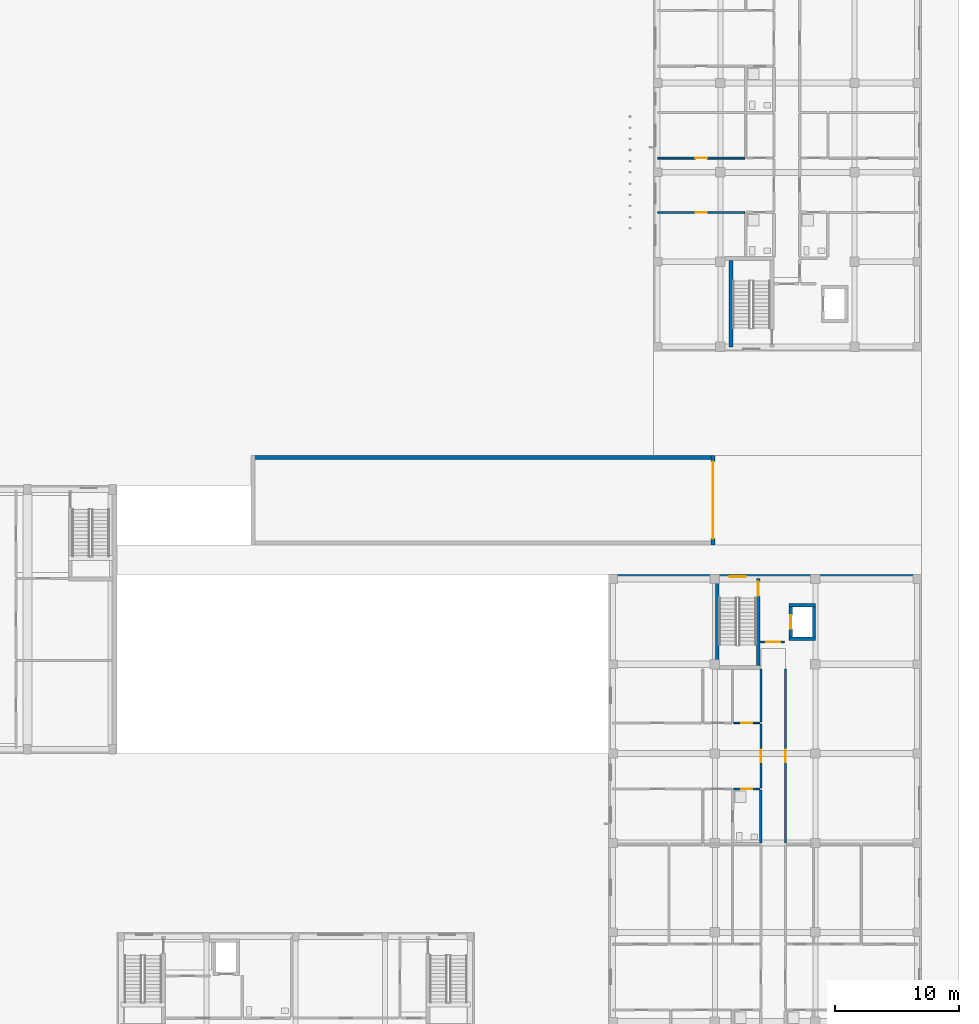
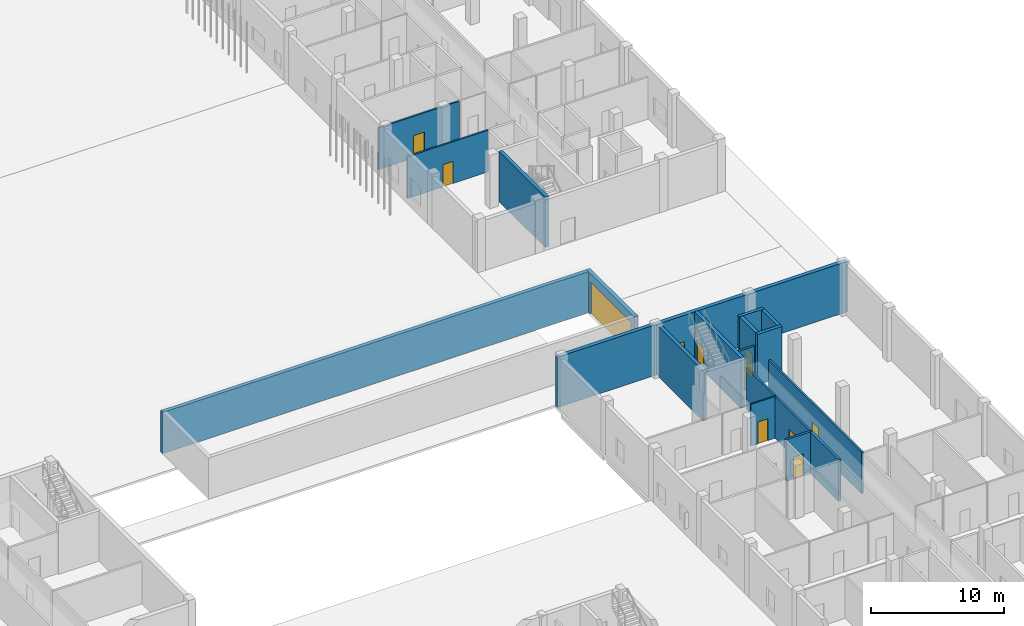
# One storey, part 51 of 85: 19 walls, 11 doors, 11 openings.
"""IFC4 building model written with IfcOpenShell, lengths in metres."""

from ifc_helpers import new_model, si_unit, derived_unit, direction, frame, frame_2d, origin, place, context, subcontext, project, spatial, rectangle, extrude, material, layer, layer_set, type_object, element, fill, save


model = new_model("IFC4")

# Units and contexts
model_context = context("Model", 3, precision=1e-05, world=origin(), true_north=direction((0.0, 1.0)))
body_context = subcontext(model_context, "Body", "Model", "MODEL_VIEW")
ifc_project = project(units=[si_unit("LENGTHUNIT", "METRE"), si_unit("AREAUNIT", "SQUARE_METRE"), si_unit("VOLUMEUNIT", "CUBIC_METRE"), si_unit("PLANEANGLEUNIT", "RADIAN"), si_unit("MASSUNIT", "GRAM", prefix="KILO"), derived_unit("THERMALTRANSMITTANCEUNIT", [(si_unit("MASSUNIT", "GRAM", prefix="KILO"), 1), (si_unit("TIMEUNIT", "SECOND"), -3), (si_unit("THERMODYNAMICTEMPERATUREUNIT", "KELVIN"), -1)])], contexts=[model_context])

# Site, building, storey
site_placement = place(None, origin())
site = spatial("IfcSite", under=ifc_project, at=site_placement, CompositionType="ELEMENT")
building_placement = place(site_placement, origin())
building = spatial("IfcBuilding", under=site, at=building_placement, Name="Ochrekiln Boulevard Commons", CompositionType="ELEMENT")
storey_placement = place(building_placement, origin())
storey = spatial("IfcBuildingStorey", under=building, at=storey_placement, Name="L00", CompositionType="ELEMENT", Elevation=0.0)

# Wall
ifc_material_1 = material(Name="Desert ochre clinker brick masonry ASTM C216 Grade SW", Category="masonry")
ifc_layer_1 = layer(ifc_material_1, 0.320068359375)
ifc_layer_set_1 = layer_set([ifc_layer_1], Name="Desert ochre clinker brick masonry ASTM C216 Grade SW")
wall_type_1 = type_object("IfcWallType", Name="WL-EXT-OCHRE-320", PredefinedType="SOLIDWALL", material=ifc_layer_set_1)
wall_1_placement = place(storey_placement, frame((118.800048828125, 59.85009765625, 0.0), z_axis=(0.0, 0.0, 1.0), x_axis=(1.0, 0.0, 0.0)))
element("IfcWall", 1, at=wall_1_placement, inside=storey, type_object=wall_type_1, Name="L00 Car Park Portal Hood Wall N", PredefinedType="SOLIDWALL", context=body_context, shape_type="SweptSolid", body=[
    extrude(rectangle(XDim=37.35986328125, YDim=0.320068359375, at=frame_2d((18.679931640625, 0.0))), origin(), (0.0, 0.0, 1.0), 3.800048828125),
])

# Wall, opening, door
wall_2_placement = place(storey_placement, frame((156.0, 52.800048828125, 0.0), z_axis=(0.0, 0.0, 1.0), x_axis=(0.0, 1.0, 0.0)))
wall_2 = element("IfcWall", 2, at=wall_2_placement, inside=storey, type_object=wall_type_1, Name="L00 Car Park Portal East Facade Wall", PredefinedType="SOLIDWALL", context=body_context, shape_type="SweptSolid", body=[
    extrude(rectangle(XDim=7.199951171875, YDim=0.320068359375, at=frame_2d((3.60009765625, 0.0))), origin(), (0.0, 0.0, 1.0), 3.800048828125),
])
opening_1_placement = place(wall_2_placement, frame((0.5, 0.0, 0.0)))
opening_1 = element("IfcOpeningElement", 3, at=opening_1_placement, cuts=wall_2, Name="Opening VG-01", PredefinedType="OPENING", context=body_context, shape_type="SweptSolid", body=[
    extrude(rectangle(XDim=6.199951171875, YDim=3.0, at=frame_2d((3.10009765625, 1.5))), frame((0.0, 0.169921875, 0.0), z_axis=(0.0, -1.0, 0.0), x_axis=(1.0, 0.0, 0.0)), (0.0, 0.0, 1.0), 0.340087890625),
])
ifc_material_2 = material(Name="Bronze-anodized extruded aluminium 6063-T6", Category="aluminium")
door_type_1 = type_object("IfcDoorType", Name="DR-GATE-VG01", OperationType="ROLLINGUP", PredefinedType="GATE", material=ifc_material_2)
door_1_placement = place(opening_1_placement, origin())
door_1 = element("IfcDoor", 4, at=door_1_placement, inside=storey, type_object=door_type_1, Name="Vehicular Car Park Roller Shutter Gate VG-01", OperationType="ROLLINGUP", OverallHeight=3.0, OverallWidth=6.199951171875, PredefinedType="GATE", context=body_context, shape_type="SweptSolid", body=[
    extrude(rectangle(XDim=6.199951171875, YDim=3.0, at=frame_2d((3.10009765625, 1.5))), frame((0.0, 0.02490234375, 0.0), z_axis=(0.0, -1.0, 0.0), x_axis=(1.0, 0.0, 0.0)), (0.0, 0.0, 1.0), 0.050048828125),
])
fill(opening_1, door_1)

ifc_layer_2 = layer(ifc_material_1, 0.330078125)
ifc_layer_set_2 = layer_set([ifc_layer_2], Name="Desert ochre clinker brick masonry ASTM C216 Grade SW")
wall_type_2 = type_object("IfcWallType", Name="WL-EXT-OCHRE-330", PredefinedType="SOLIDWALL", material=ifc_layer_set_2)
wall_3_placement = place(storey_placement, frame((147.60009765625, 50.235107421875, 0.0), z_axis=(0.0, 0.0, 1.0), x_axis=(1.0, 0.0, 0.0)))
wall_3 = element("IfcWall", 5, at=wall_3_placement, inside=storey, type_object=wall_type_2, Name="Block C L00 N Exterior Wall", PredefinedType="SOLIDWALL", context=body_context, shape_type="SweptSolid", body=[
    extrude(rectangle(XDim=25.199951171875, YDim=0.330078125, at=frame_2d((12.60009765625, 0.0))), origin(), (0.0, 0.0, 1.0), 4.639892578125),
])
opening_2_placement = place(wall_3_placement, frame((9.75, 0.0, 0.0)))
opening_2 = element("IfcOpeningElement", 6, at=opening_2_placement, cuts=wall_3, Name="Opening D-L00-EX34", PredefinedType="OPENING", context=body_context, shape_type="SweptSolid", body=[
    extrude(rectangle(XDim=1.300048828125, YDim=2.199951171875, at=frame_2d((0.64990234375, 1.10009765625))), frame((0.0, 0.175048828125, 0.0), z_axis=(0.0, -1.0, 0.0), x_axis=(1.0, 0.0, 0.0)), (0.0, 0.0, 1.0), 0.35009765625),
])
door_type_2 = type_object("IfcDoorType", Name="DR-EXT-STAIR-130", OperationType="NOTDEFINED", PredefinedType="DOOR", material=ifc_material_2)
door_2_placement = place(opening_2_placement, origin())
door_2 = element("IfcDoor", 7, at=door_2_placement, inside=storey, type_object=door_type_2, Name="Stair ST-C2 Exterior Exit Discharge Door", OperationType="SINGLE_SWING_RIGHT", OverallHeight=2.199951171875, OverallWidth=1.300048828125, PredefinedType="DOOR", context=body_context, shape_type="SweptSolid", body=[
    extrude(rectangle(XDim=1.300048828125, YDim=2.199951171875, at=frame_2d((0.64990234375, 1.10009765625))), frame((0.0, 0.02490234375, 0.0), z_axis=(0.0, -1.0, 0.0), x_axis=(1.0, 0.0, 0.0)), (0.0, 0.0, 1.0), 0.050048828125),
])
fill(opening_2, door_2)

ifc_material_3 = material(Name="Moisture-resistant cementitious tile backer wall")
ifc_layer_3 = layer(ifc_material_3, 0.199951171875)
ifc_layer_set_3 = layer_set([ifc_layer_3], Name="Moisture-resistant cementitious tile backer wall")
wall_type_3 = type_object("IfcWallType", Name="WL-PLM-200", PredefinedType="PLUMBINGWALL", material=ifc_layer_set_3)
wall_4_placement = place(storey_placement, frame((157.669921875, 33.14697265625, 0.0), z_axis=(0.0, 0.0, 1.0), x_axis=(1.0, 0.0, 0.0)))
wall_4 = element("IfcWall", 8, at=wall_4_placement, inside=storey, type_object=wall_type_3, Name="L00 Interior Wall W-PW200", PredefinedType="PLUMBINGWALL", context=body_context, shape_type="SweptSolid", body=[
    extrude(rectangle(XDim=2.108154296875, YDim=0.199951171875, at=frame_2d((1.05419921875, 0.0))), origin(), (0.0, 0.0, 1.0), 3.840087890625),
])
opening_3_placement = place(wall_4_placement, frame((0.60498046875, 0.0, 0.0)))
opening_3 = element("IfcOpeningElement", 9, at=opening_3_placement, cuts=wall_4, Name="Opening D-L00-066", PredefinedType="OPENING", context=body_context, shape_type="SweptSolid", body=[
    extrude(rectangle(XDim=0.889892578125, YDim=2.030029296875, at=frame_2d((0.44482421875, 1.01513671875))), frame((0.0, 0.10986328125, 0.0), z_axis=(0.0, -1.0, 0.0), x_axis=(1.0, 0.0, 0.0)), (0.0, 0.0, 1.0), 0.219970703125),
])
ifc_material_4 = material(Name="Solid core architectural oak door leaf")
door_type_3 = type_object("IfcDoorType", Name="DR-INT-BTH-089", OperationType="NOTDEFINED", PredefinedType="DOOR", material=ifc_material_4)
door_3_placement = place(opening_3_placement, frame((0.889892578125, 0.0, 0.0), z_axis=(0.0, 0.0, 1.0), x_axis=(-1.0, 0.0, 0.0)))
door_3 = element("IfcDoor", 10, at=door_3_placement, inside=storey, type_object=door_type_3, Name="L00 Interior Door to Apartment Bathroom", OperationType="SINGLE_SWING_RIGHT", OverallHeight=2.030029296875, OverallWidth=0.889892578125, PredefinedType="DOOR", context=body_context, shape_type="SweptSolid", body=[
    extrude(rectangle(XDim=0.889892578125, YDim=2.030029296875, at=frame_2d((0.44482421875, 1.01513671875))), frame((0.0, 0.02490234375, 0.0), z_axis=(0.0, -1.0, 0.0), x_axis=(1.0, 0.0, 0.0)), (0.0, 0.0, 1.0), 0.050048828125),
])
fill(opening_3, door_3)

# Wall
ifc_layer_4 = layer(ifc_material_3, 0.219970703125)
ifc_layer_set_4 = layer_set([ifc_layer_4], Name="Moisture-resistant cementitious tile backer wall")
wall_type_4 = type_object("IfcWallType", Name="WL-PLM-220", PredefinedType="PLUMBINGWALL", material=ifc_layer_set_4)
wall_5_placement = place(storey_placement, frame((159.860107421875, 28.81005859375, 0.0), z_axis=(0.0, 0.0, 1.0), x_axis=(0.0, 1.0, 0.0)))
element("IfcWall", 11, at=wall_5_placement, inside=storey, type_object=wall_type_4, Name="L00 Interior Wall W-PW220", PredefinedType="PLUMBINGWALL", context=body_context, shape_type="SweptSolid", body=[
    extrude(rectangle(XDim=4.2568359375, YDim=0.219970703125, at=frame_2d((2.12841796875, 0.0))), origin(), (0.0, 0.0, 1.0), 3.840087890625),
])

# Wall, opening, door
ifc_material_5 = material(Name="Fire-rated Type X gypsum board on steel studs", Category="steel")
ifc_layer_5 = layer(ifc_material_5, 0.1650390625)
ifc_layer_set_5 = layer_set([ifc_layer_5], Name="Fire-rated Type X gypsum board on steel studs")
wall_type_5 = type_object("IfcWallType", Name="WL-PT-CORR-165", PredefinedType="PARTITIONING", material=ifc_layer_set_5)
wall_6_placement = place(storey_placement, frame((159.860107421875, 33.22705078125, 0.0), z_axis=(0.0, 0.0, 1.0), x_axis=(0.0, 1.0, 0.0)))
wall_6 = element("IfcWall", 12, at=wall_6_placement, inside=storey, type_object=wall_type_5, Name="L00 Interior Wall W-PC165", PredefinedType="PARTITIONING", context=body_context, shape_type="SweptSolid", body=[
    extrude(rectangle(XDim=5.156005859375, YDim=0.1650390625, at=frame_2d((2.578125, 0.0))), origin(), (0.0, 0.0, 1.0), 3.840087890625),
])
opening_4_placement = place(wall_6_placement, frame((2.072998046875, 0.0, 0.0)))
opening_4 = element("IfcOpeningElement", 13, at=opening_4_placement, cuts=wall_6, Name="Opening D-L00-056", PredefinedType="OPENING", context=body_context, shape_type="SweptSolid", body=[
    extrude(rectangle(XDim=1.010009765625, YDim=2.110107421875, at=frame_2d((0.5048828125, 1.05517578125))), frame((0.0, 0.092529296875, 0.0), z_axis=(0.0, -1.0, 0.0), x_axis=(1.0, 0.0, 0.0)), (0.0, 0.0, 1.0), 0.18505859375),
])
door_type_4 = type_object("IfcDoorType", Name="DR-INT-APT-101", OperationType="NOTDEFINED", PredefinedType="DOOR", material=ifc_material_4)
door_4_placement = place(opening_4_placement, origin())
door_4 = element("IfcDoor", 14, at=door_4_placement, inside=storey, type_object=door_type_4, Name="L00 Interior Door to Two-Bedroom Apartment Living Room", OperationType="SINGLE_SWING_RIGHT", OverallHeight=2.110107421875, OverallWidth=1.010009765625, PredefinedType="DOOR", context=body_context, shape_type="SweptSolid", body=[
    extrude(rectangle(XDim=1.010009765625, YDim=2.110107421875, at=frame_2d((0.5048828125, 1.05517578125))), frame((0.0, 0.02490234375, 0.0), z_axis=(0.0, -1.0, 0.0), x_axis=(1.0, 0.0, 0.0)), (0.0, 0.0, 1.0), 0.050048828125),
])
fill(opening_4, door_4)

# Wall
wall_7_placement = place(storey_placement, frame((159.860107421875, 38.54296875, 0.0), z_axis=(0.0, 0.0, 1.0), x_axis=(0.0, 1.0, 0.0)))
element("IfcWall", 15, at=wall_7_placement, inside=storey, type_object=wall_type_5, Name="L00 Interior Wall W-PC165", PredefinedType="PARTITIONING", context=body_context, shape_type="SweptSolid", body=[
    extrude(rectangle(XDim=4.257080078125, YDim=0.1650390625, at=frame_2d((2.12841796875, 0.0))), origin(), (0.0, 0.0, 1.0), 3.840087890625),
])

# Wall, opening, door
wall_8_placement = place(storey_placement, frame((161.840087890625, 28.81005859375, 0.0), z_axis=(0.0, 0.0, 1.0), x_axis=(0.0, 1.0, 0.0)))
wall_8 = element("IfcWall", 16, at=wall_8_placement, inside=storey, type_object=wall_type_5, Name="L00 Interior Wall W-PC165", PredefinedType="PARTITIONING", context=body_context, shape_type="SweptSolid", body=[
    extrude(rectangle(XDim=13.989990234375, YDim=0.1650390625, at=frame_2d((6.9951171875, 0.0))), origin(), (0.0, 0.0, 1.0), 3.840087890625),
])
opening_5_placement = place(wall_8_placement, frame((6.489990234375, 0.0, 0.0)))
opening_5 = element("IfcOpeningElement", 17, at=opening_5_placement, cuts=wall_8, Name="Opening D-L00-058", PredefinedType="OPENING", context=body_context, shape_type="SweptSolid", body=[
    extrude(rectangle(XDim=1.010009765625, YDim=2.110107421875, at=frame_2d((0.5048828125, 1.05517578125))), frame((0.0, 0.092529296875, 0.0), z_axis=(0.0, -1.0, 0.0), x_axis=(1.0, 0.0, 0.0)), (0.0, 0.0, 1.0), 0.18505859375),
])
door_5_placement = place(opening_5_placement, frame((1.010009765625, 0.0, 0.0), z_axis=(0.0, 0.0, 1.0), x_axis=(-1.0, 0.0, 0.0)))
door_5 = element("IfcDoor", 18, at=door_5_placement, inside=storey, type_object=door_type_4, Name="L00 Interior Door to Block C Ground Entrance Lobby", OperationType="SINGLE_SWING_RIGHT", OverallHeight=2.110107421875, OverallWidth=1.010009765625, PredefinedType="DOOR", context=body_context, shape_type="SweptSolid", body=[
    extrude(rectangle(XDim=1.010009765625, YDim=2.110107421875, at=frame_2d((0.5048828125, 1.05517578125))), frame((0.0, 0.02490234375, 0.0), z_axis=(0.0, -1.0, 0.0), x_axis=(1.0, 0.0, 0.0)), (0.0, 0.0, 1.0), 0.050048828125),
])
fill(opening_5, door_5)

ifc_layer_6 = layer(ifc_material_5, 0.18994140625)
ifc_layer_set_6 = layer_set([ifc_layer_6], Name="Fire-rated Type X gypsum board on steel studs")
wall_type_6 = type_object("IfcWallType", Name="WL-PT-LBY-190", PredefinedType="PARTITIONING", material=ifc_layer_set_6)
wall_9_placement = place(storey_placement, frame((159.800048828125, 44.97998046875, 0.0), z_axis=(0.0, 0.0, 1.0), x_axis=(1.0, 0.0, 0.0)))
wall_9 = element("IfcWall", 19, at=wall_9_placement, inside=storey, type_object=wall_type_6, Name="L00 Interior Wall W-PL190", PredefinedType="PARTITIONING", context=body_context, shape_type="SweptSolid", body=[
    extrude(rectangle(XDim=1.949951171875, YDim=0.18994140625, at=frame_2d((0.97509765625, 0.0))), origin(), (0.0, 0.0, 1.0), 3.840087890625),
])
opening_6_placement = place(wall_9_placement, frame((0.5, 0.0, 0.0)))
opening_6 = element("IfcOpeningElement", 20, at=opening_6_placement, cuts=wall_9, Name="Opening D-L00-053", PredefinedType="OPENING", context=body_context, shape_type="SweptSolid", body=[
    extrude(rectangle(XDim=1.10009765625, YDim=2.1201171875, at=frame_2d((0.550048828125, 1.06005859375))), frame((0.0, 0.10498046875, 0.0), z_axis=(0.0, -1.0, 0.0), x_axis=(1.0, 0.0, 0.0)), (0.0, 0.0, 1.0), 0.2099609375),
])
ifc_material_6 = material(Name="Hollow metal fire-rated steel door assembly", Category="steel")
door_type_5 = type_object("IfcDoorType", Name="DR-LOBBY-60", OperationType="NOTDEFINED", PredefinedType="DOOR", material=ifc_material_6)
door_6_placement = place(opening_6_placement, origin())
door_6 = element("IfcDoor", 21, at=door_6_placement, inside=storey, type_object=door_type_5, Name="L00 Interior Door to Passenger Elevator Lobby", OperationType="SINGLE_SWING_LEFT", OverallHeight=2.1201171875, OverallWidth=1.10009765625, PredefinedType="DOOR", context=body_context, shape_type="SweptSolid", body=[
    extrude(rectangle(XDim=1.10009765625, YDim=2.1201171875, at=frame_2d((0.550048828125, 1.06005859375))), frame((0.0, 0.02490234375, 0.0), z_axis=(0.0, -1.0, 0.0), x_axis=(1.0, 0.0, 0.0)), (0.0, 0.0, 1.0), 0.050048828125),
])
fill(opening_6, door_6)

ifc_layer_7 = layer(ifc_material_5, 0.1201171875)
ifc_layer_set_7 = layer_set([ifc_layer_7], Name="Fire-rated Type X gypsum board on steel studs")
wall_type_7 = type_object("IfcWallType", Name="WL-PT-LGT-120", PredefinedType="PARTITIONING", material=ifc_layer_set_7)
wall_10_placement = place(storey_placement, frame((157.669921875, 38.462890625, 0.0), z_axis=(0.0, 0.0, 1.0), x_axis=(1.0, 0.0, 0.0)))
wall_10 = element("IfcWall", 22, at=wall_10_placement, inside=storey, type_object=wall_type_7, Name="L00 Interior Wall W-PL120", PredefinedType="PARTITIONING", context=body_context, shape_type="SweptSolid", body=[
    extrude(rectangle(XDim=2.108154296875, YDim=0.1201171875, at=frame_2d((1.05419921875, 0.0))), origin(), (0.0, 0.0, 1.0), 3.840087890625),
])
opening_7_placement = place(wall_10_placement, frame((0.625, 0.0, 0.0)))
opening_7 = element("IfcOpeningElement", 23, at=opening_7_placement, cuts=wall_10, Name="Opening D-L00-067", PredefinedType="OPENING", context=body_context, shape_type="SweptSolid", body=[
    extrude(rectangle(XDim=0.85009765625, YDim=2.010009765625, at=frame_2d((0.425048828125, 1.0048828125))), frame((0.0, 0.070068359375, 0.0), z_axis=(0.0, -1.0, 0.0), x_axis=(1.0, 0.0, 0.0)), (0.0, 0.0, 1.0), 0.14013671875),
])
door_type_6 = type_object("IfcDoorType", Name="DR-INT-KIT-085", OperationType="NOTDEFINED", PredefinedType="DOOR", material=ifc_material_4)
door_7_placement = place(opening_7_placement, origin())
door_7 = element("IfcDoor", 24, at=door_7_placement, inside=storey, type_object=door_type_6, Name="L00 Interior Door to Apartment Kitchen", OperationType="SINGLE_SWING_LEFT", OverallHeight=2.010009765625, OverallWidth=0.85009765625, PredefinedType="DOOR", context=body_context, shape_type="SweptSolid", body=[
    extrude(rectangle(XDim=0.85009765625, YDim=2.010009765625, at=frame_2d((0.425048828125, 1.0048828125))), frame((0.0, 0.02490234375, 0.0), z_axis=(0.0, -1.0, 0.0), x_axis=(1.0, 0.0, 0.0)), (0.0, 0.0, 1.0), 0.050048828125),
])
fill(opening_7, door_7)

ifc_layer_8 = layer(ifc_material_5, 0.14990234375)
ifc_layer_set_8 = layer_set([ifc_layer_8], Name="Fire-rated Type X gypsum board on steel studs")
wall_type_8 = type_object("IfcWallType", Name="WL-PT-STD-150", PredefinedType="PARTITIONING", material=ifc_layer_set_8)
wall_11_placement = place(storey_placement, frame((151.5400390625, 79.572998046875, 0.0), z_axis=(0.0, 0.0, 1.0), x_axis=(1.0, 0.0, 0.0)))
wall_11 = element("IfcWall", 25, at=wall_11_placement, inside=storey, type_object=wall_type_8, Name="L00 Interior Wall W-PS150", PredefinedType="PARTITIONING", context=body_context, shape_type="SweptSolid", body=[
    extrude(rectangle(XDim=7.02001953125, YDim=0.14990234375, at=frame_2d((3.510009765625, 0.0))), origin(), (0.0, 0.0, 1.0), 3.840087890625),
])
opening_8_placement = place(wall_11_placement, frame((3.06494140625, 0.0, 0.0)))
opening_8 = element("IfcOpeningElement", 26, at=opening_8_placement, cuts=wall_11, Name="Opening D-L00-034", PredefinedType="OPENING", context=body_context, shape_type="SweptSolid", body=[
    extrude(rectangle(XDim=0.89990234375, YDim=2.0400390625, at=frame_2d((0.449951171875, 1.02001953125))), frame((0.0, 0.0849609375, 0.0), z_axis=(0.0, -1.0, 0.0), x_axis=(1.0, 0.0, 0.0)), (0.0, 0.0, 1.0), 0.169921875),
])
door_type_7 = type_object("IfcDoorType", Name="DR-INT-BED-090", OperationType="NOTDEFINED", PredefinedType="DOOR", material=ifc_material_4)
door_8_placement = place(opening_8_placement, frame((0.89990234375, 0.0, 0.0), z_axis=(0.0, 0.0, 1.0), x_axis=(-1.0, 0.0, 0.0)))
door_8 = element("IfcDoor", 27, at=door_8_placement, inside=storey, type_object=door_type_7, Name="L00 Interior Door to Primary Apartment Bedroom", OperationType="SINGLE_SWING_RIGHT", OverallHeight=2.0400390625, OverallWidth=0.89990234375, PredefinedType="DOOR", context=body_context, shape_type="SweptSolid", body=[
    extrude(rectangle(XDim=0.89990234375, YDim=2.0400390625, at=frame_2d((0.449951171875, 1.02001953125))), frame((0.0, 0.02490234375, 0.0), z_axis=(0.0, -1.0, 0.0), x_axis=(1.0, 0.0, 0.0)), (0.0, 0.0, 1.0), 0.050048828125),
])
fill(opening_8, door_8)

wall_12_placement = place(storey_placement, frame((151.5400390625, 83.952880859375, 0.0), z_axis=(0.0, 0.0, 1.0), x_axis=(1.0, 0.0, 0.0)))
wall_12 = element("IfcWall", 28, at=wall_12_placement, inside=storey, type_object=wall_type_8, Name="L00 Interior Wall W-PS150", PredefinedType="PARTITIONING", context=body_context, shape_type="SweptSolid", body=[
    extrude(rectangle(XDim=7.02001953125, YDim=0.14990234375, at=frame_2d((3.510009765625, 0.0))), origin(), (0.0, 0.0, 1.0), 3.840087890625),
])
opening_9_placement = place(wall_12_placement, frame((3.044921875, 0.0, 0.0)))
opening_9 = element("IfcOpeningElement", 29, at=opening_9_placement, cuts=wall_12, Name="Opening D-L00-035", PredefinedType="OPENING", context=body_context, shape_type="SweptSolid", body=[
    extrude(rectangle(XDim=0.93994140625, YDim=2.06005859375, at=frame_2d((0.469970703125, 1.030029296875))), frame((0.0, 0.0849609375, 0.0), z_axis=(0.0, -1.0, 0.0), x_axis=(1.0, 0.0, 0.0)), (0.0, 0.0, 1.0), 0.169921875),
])
door_type_8 = type_object("IfcDoorType", Name="DR-INT-BED-094", OperationType="NOTDEFINED", PredefinedType="DOOR", material=ifc_material_4)
door_9_placement = place(opening_9_placement, origin())
door_9 = element("IfcDoor", 30, at=door_9_placement, inside=storey, type_object=door_type_8, Name="L00 Interior Door to Secondary Apartment Bedroom", OperationType="SINGLE_SWING_LEFT", OverallHeight=2.06005859375, OverallWidth=0.93994140625, PredefinedType="DOOR", context=body_context, shape_type="SweptSolid", body=[
    extrude(rectangle(XDim=0.93994140625, YDim=2.06005859375, at=frame_2d((0.469970703125, 1.030029296875))), frame((0.0, 0.02490234375, 0.0), z_axis=(0.0, -1.0, 0.0), x_axis=(1.0, 0.0, 0.0)), (0.0, 0.0, 1.0), 0.050048828125),
])
fill(opening_9, door_9)

# Walls
ifc_material_7 = material(Name="Concrete C40/50", Category="concrete")
ifc_layer_9 = layer(ifc_material_7, 0.27490234375)
ifc_layer_set_9 = layer_set([ifc_layer_9], Name="Concrete C40/50")
wall_type_9 = type_object("IfcWallType", Name="WL-SH-275", PredefinedType="SHEAR", material=ifc_layer_set_9)
for number, where, z_axis, x_axis, name in (
    (31, (162.125, 45.262451171875, 0.0), (0.0, 0.0, 1.0), (1.0, 0.0, 0.0), "Elevator LP-C2 L00 Hoistway Shear Wall"),
    (32, (162.125, 47.9375, 0.0), (0.0, 0.0, 1.0), (1.0, 0.0, 0.0), "Elevator LP-C2 L00 Hoistway Shear Wall"),
):
    element("IfcWall", number, at=place(storey_placement, frame(where, z_axis=z_axis, x_axis=x_axis)), inside=storey, type_object=wall_type_9, Name=name, PredefinedType="SHEAR", context=body_context, shape_type="SweptSolid", body=[
        extrude(rectangle(XDim=2.14990234375, YDim=0.27490234375, at=frame_2d((1.074951171875, 0.0))), origin(), (0.0, 0.0, 1.0), 4.639892578125),
    ])

# Wall, opening, door
wall_13_placement = place(storey_placement, frame((162.262451171875, 45.39990234375, 0.0), z_axis=(0.0, 0.0, 1.0), x_axis=(0.0, 1.0, 0.0)))
wall_13 = element("IfcWall", 33, at=wall_13_placement, inside=storey, type_object=wall_type_9, Name="Elevator LP-C2 L00 Hoistway Shear Wall", PredefinedType="SHEAR", context=body_context, shape_type="SweptSolid", body=[
    extrude(rectangle(XDim=2.400146484375, YDim=0.27490234375, at=frame_2d((1.2001953125, 0.0))), origin(), (0.0, 0.0, 1.0), 4.639892578125),
])
opening_10_placement = place(wall_13_placement, frame((0.64990234375, 0.0, 0.0)))
opening_10 = element("IfcOpeningElement", 34, at=opening_10_placement, cuts=wall_13, Name="Opening LD-LP-C2-L00", PredefinedType="OPENING", context=body_context, shape_type="SweptSolid", body=[
    extrude(rectangle(XDim=1.10009765625, YDim=2.14990234375, at=frame_2d((0.550048828125, 1.074951171875))), frame((0.0, 0.1474609375, 0.0), z_axis=(0.0, -1.0, 0.0), x_axis=(1.0, 0.0, 0.0)), (0.0, 0.0, 1.0), 0.294921875),
])
ifc_material_8 = material(Name="Brushed stainless steel 316 elevator cab and doors", Category="steel")
door_type_9 = type_object("IfcDoorType", Name="DR-LIFT-LD90", OperationType="SLIDING_TO_LEFT", PredefinedType="DOOR", material=ifc_material_8)
door_10_placement = place(opening_10_placement, origin())
door_10 = element("IfcDoor", 35, at=door_10_placement, inside=storey, type_object=door_type_9, Name="Elevator LP-C2 L00 Sliding Landing Door LD-LP-C2-L00", OperationType="SLIDING_TO_LEFT", OverallHeight=2.14990234375, OverallWidth=1.10009765625, PredefinedType="DOOR", context=body_context, shape_type="SweptSolid", body=[
    extrude(rectangle(XDim=1.10009765625, YDim=2.14990234375, at=frame_2d((0.550048828125, 1.074951171875))), frame((0.0, 0.02490234375, 0.0), z_axis=(0.0, -1.0, 0.0), x_axis=(1.0, 0.0, 0.0)), (0.0, 0.0, 1.0), 0.050048828125),
])
fill(opening_10, door_10)

# Walls
wall_14_placement = place(storey_placement, frame((164.137451171875, 45.39990234375, 0.0), z_axis=(0.0, 0.0, 1.0), x_axis=(0.0, 1.0, 0.0)))
element("IfcWall", 36, at=wall_14_placement, inside=storey, type_object=wall_type_9, Name="Elevator LP-C2 L00 Hoistway Shear Wall", PredefinedType="SHEAR", context=body_context, shape_type="SweptSolid", body=[
    extrude(rectangle(XDim=2.400146484375, YDim=0.27490234375, at=frame_2d((1.2001953125, 0.0))), origin(), (0.0, 0.0, 1.0), 4.639892578125),
])
ifc_layer_10 = layer(ifc_material_7, 0.300048828125)
ifc_layer_set_10 = layer_set([ifc_layer_10], Name="Concrete C40/50")
wall_type_10 = type_object("IfcWallType", Name="WL-SH-300", PredefinedType="SHEAR", material=ifc_layer_set_10)
for number, where, z_axis, x_axis, name in (
    (37, (157.449951171875, 68.719970703125, 0.0), (0.0, 0.0, 1.0), (0.0, 1.0, 0.0), "Stair ST-B1 L00 Core Shear Wall W"),
    (38, (156.35009765625, 43.080078125, 0.0), (0.0, 0.0, 1.0), (0.0, 1.0, 0.0), "Stair ST-C2 L00 Core Shear Wall W"),
):
    element("IfcWall", number, at=place(storey_placement, frame(where, z_axis=z_axis, x_axis=x_axis)), inside=storey, type_object=wall_type_10, Name=name, PredefinedType="SHEAR", context=body_context, shape_type="SweptSolid", body=[
        extrude(rectangle(XDim=7.0, YDim=0.300048828125, at=frame_2d((3.5, 0.0))), origin(), (0.0, 0.0, 1.0), 4.639892578125),
    ])

# Wall, opening, door
wall_15_placement = place(storey_placement, frame((159.64990234375, 43.080078125, 0.0), z_axis=(0.0, 0.0, 1.0), x_axis=(0.0, 1.0, 0.0)))
wall_15 = element("IfcWall", 39, at=wall_15_placement, inside=storey, type_object=wall_type_10, Name="Stair ST-C2 L00 Core Shear Wall E", PredefinedType="SHEAR", context=body_context, shape_type="SweptSolid", body=[
    extrude(rectangle(XDim=7.0, YDim=0.300048828125, at=frame_2d((3.5, 0.0))), origin(), (0.0, 0.0, 1.0), 4.639892578125),
])
opening_11_placement = place(wall_15_placement, frame((5.625, 0.0, 0.0)))
opening_11 = element("IfcOpeningElement", 40, at=opening_11_placement, cuts=wall_15, Name="Opening D-L00-ST-C2", PredefinedType="OPENING", context=body_context, shape_type="SweptSolid", body=[
    extrude(rectangle(XDim=1.14990234375, YDim=2.1201171875, at=frame_2d((0.574951171875, 1.06005859375))), frame((0.0, 0.159912109375, 0.0), z_axis=(0.0, -1.0, 0.0), x_axis=(1.0, 0.0, 0.0)), (0.0, 0.0, 1.0), 0.320068359375),
])
door_type_10 = type_object("IfcDoorType", Name="DR-STAIR-90", OperationType="NOTDEFINED", PredefinedType="DOOR", material=ifc_material_6)
door_11_placement = place(opening_11_placement, origin())
door_11 = element("IfcDoor", 41, at=door_11_placement, inside=storey, type_object=door_type_10, Name="Enclosed Exit Stair ST-C2 L00 Rated Door", OperationType="SINGLE_SWING_RIGHT", OverallHeight=2.1201171875, OverallWidth=1.14990234375, PredefinedType="DOOR", context=body_context, shape_type="SweptSolid", body=[
    extrude(rectangle(XDim=1.14990234375, YDim=2.1201171875, at=frame_2d((0.574951171875, 1.06005859375))), frame((0.0, 0.02490234375, 0.0), z_axis=(0.0, -1.0, 0.0), x_axis=(1.0, 0.0, 0.0)), (0.0, 0.0, 1.0), 0.050048828125),
])
fill(opening_11, door_11)

save(model, "model.ifc")
